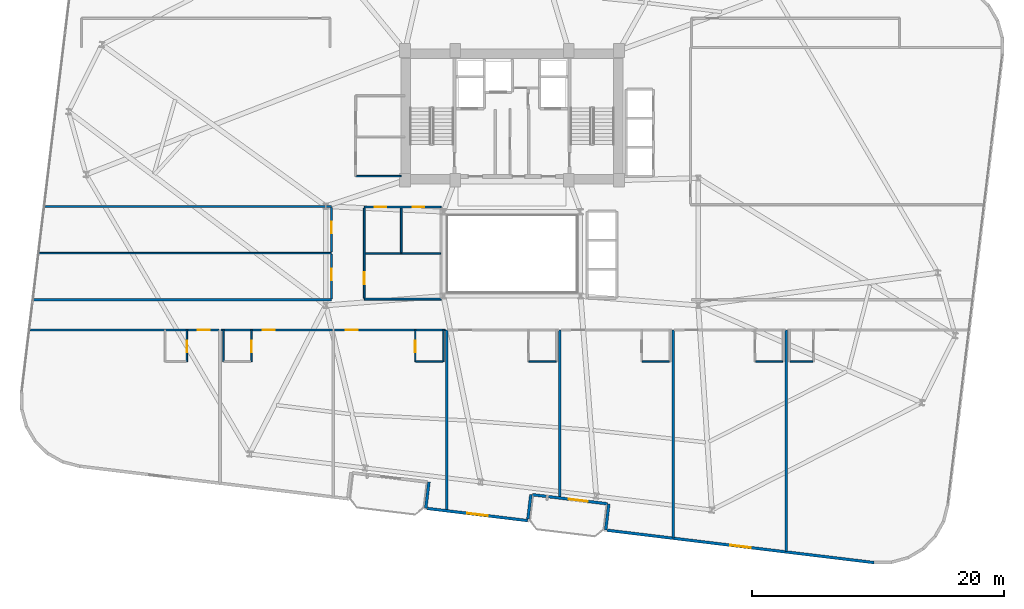
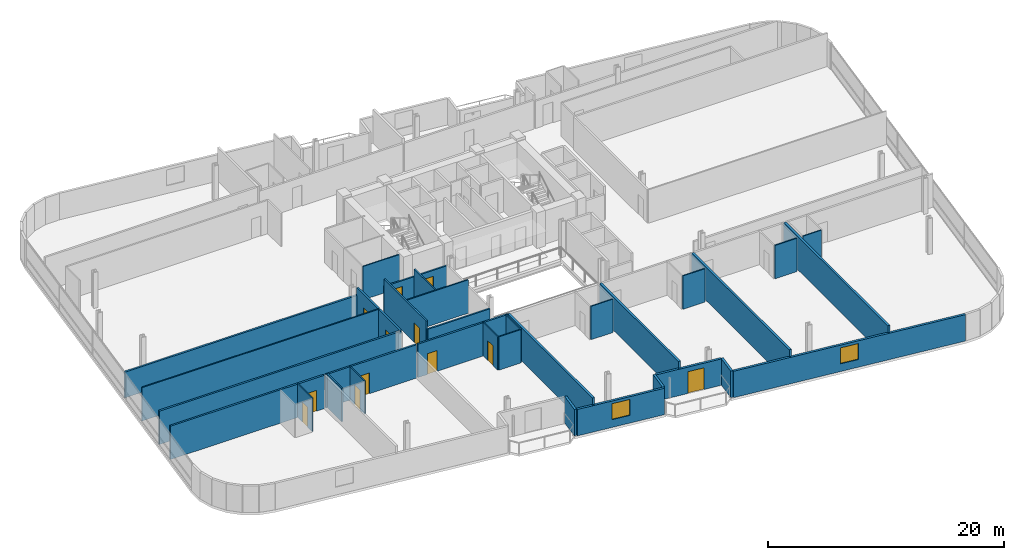
# One storey, part 20 of 26: 34 walls, 12 doors, 2 windows, 14 openings.
"""IFC4 building model written with IfcOpenShell, lengths in metres."""

from ifc_helpers import new_model, si_unit, direction, frame, frame_2d, origin, place, context, subcontext, project, spatial, rectangle, extrude, material, layer, layer_set, type_object, element, fill, save


model = new_model("IFC4")

# Units and contexts
model_context = context("Model", 3, precision=1e-05, world=origin(), true_north=direction((0.0, 1.0)))
body_context = subcontext(model_context, "Body", "Model", "MODEL_VIEW")
ifc_project = project(units=[si_unit("LENGTHUNIT", "METRE"), si_unit("AREAUNIT", "SQUARE_METRE"), si_unit("VOLUMEUNIT", "CUBIC_METRE"), si_unit("PLANEANGLEUNIT", "RADIAN"), si_unit("MASSUNIT", "GRAM", prefix="KILO")], contexts=[model_context])

# Site, building, storey
site_placement = place(None, origin())
site = spatial("IfcSite", under=ifc_project, at=site_placement, CompositionType="ELEMENT")
building_placement = place(site_placement, origin())
building = spatial("IfcBuilding", under=site, at=building_placement, Name="Varnelok Gate Tower", CompositionType="ELEMENT")
storey_placement = place(building_placement, frame((0.0, 0.0, 143.89990234375)))
storey = spatial("IfcBuildingStorey", under=building, at=storey_placement, Name="L36", CompositionType="ELEMENT", Elevation=143.89990234375)

# Wall, opening, door
ifc_material_1 = material(Name="Concrete C45/55", Category="concrete")
ifc_layer_1 = layer(ifc_material_1, 0.219970703125)
ifc_layer_set_1 = layer_set([ifc_layer_1], Name="Concrete C45/55")
wall_type_1 = type_object("IfcWallType", Name="EW-BALC-220", PredefinedType="SOLIDWALL", material=ifc_layer_set_1)
wall_1_placement = place(storey_placement, frame((46.77587890625, 3.03662109375, 0.0), z_axis=(0.0, 0.0, 1.0), x_axis=(-0.992735402148, 0.120318000826, 0.0)))
wall_1 = element("IfcWall", 1, at=wall_1_placement, inside=storey, type_object=wall_type_1, Name="L36 South Terrace Envelope Wall 2", PredefinedType="SOLIDWALL", context=body_context, shape_type="SweptSolid", body=[
    extrude(rectangle(XDim=6.000244140625, YDim=0.219970703125, at=frame_2d((3.0, 0.0))), origin(), (0.0, 0.0, 1.0), 2.72998046875),
])
opening_1_placement = place(wall_1_placement, frame((1.583984375, 0.0, 0.0)))
opening_1 = element("IfcOpeningElement", 2, at=opening_1_placement, cuts=wall_1, Name="Opening BD-1", PredefinedType="OPENING", context=body_context, shape_type="SweptSolid", body=[
    extrude(rectangle(XDim=1.5, YDim=2.25, at=frame_2d((0.75, 1.125))), frame((0.0, 0.119873046875, 0.0), z_axis=(0.0, -1.0, 0.0), x_axis=(1.0, 0.0, 0.0)), (0.0, 0.0, 1.0), 0.239990234375),
])
ifc_material_2 = material(Name="Anodized Aluminum Alloy 6063-T6", Category="aluminium")
door_type_1 = type_object("IfcDoorType", Name="DR-EXT-BALC1500", OperationType="NOTDEFINED", PredefinedType="DOOR", material=ifc_material_2)
door_1_placement = place(opening_1_placement, origin())
door_1 = element("IfcDoor", 3, at=door_1_placement, inside=storey, type_object=door_type_1, Name="L36 South Balcony Glazed Door 2", OperationType="SINGLE_SWING_LEFT", OverallHeight=2.25, OverallWidth=1.5, PredefinedType="DOOR", context=body_context, shape_type="SweptSolid", body=[
    extrude(rectangle(XDim=1.5, YDim=2.25, at=frame_2d((0.75, 1.125))), frame((0.0, 0.02490234375, 0.0), z_axis=(0.0, -1.0, 0.0), x_axis=(1.0, 0.0, 0.0)), (0.0, 0.0, 1.0), 0.050048828125),
])
fill(opening_1, door_1)

# Wall
wall_2_placement = place(storey_placement, frame((32.600830078125, 4.764892578125, 0.0), z_axis=(0.0, 0.0, 1.0), x_axis=(-0.120327895535, -0.992734202874, 0.0)))
element("IfcWall", 4, at=wall_2_placement, inside=storey, type_object=wall_type_1, Name="L36 Perimeter Facade Closure Wall 9", PredefinedType="SOLIDWALL", context=body_context, shape_type="SweptSolid", body=[
    extrude(rectangle(XDim=2.099853515625, YDim=0.219970703125, at=frame_2d((1.0498046875, 0.0))), origin(), (0.0, 0.0, 1.0), 2.72998046875),
])

# Wall, opening, window
wall_3_placement = place(storey_placement, frame((32.47216796875, 2.6650390625, 0.0), z_axis=(0.0, 0.0, 1.0), x_axis=(0.992734661931, -0.120324108143, 0.0)))
wall_3 = element("IfcWall", 5, at=wall_3_placement, inside=storey, type_object=wall_type_1, Name="L36 Perimeter Facade Closure Wall 10", PredefinedType="SOLIDWALL", context=body_context, shape_type="SweptSolid", body=[
    extrude(rectangle(XDim=8.034912109375, YDim=0.219970703125, at=frame_2d((4.017578125, 0.0))), origin(), (0.0, 0.0, 1.0), 2.72998046875),
])
opening_2_placement = place(wall_3_placement, frame((3.1923828125, 0.0, 0.800048828125)))
opening_2 = element("IfcOpeningElement", 6, at=opening_2_placement, cuts=wall_3, Name="Opening WN3", PredefinedType="OPENING", context=body_context, shape_type="SweptSolid", body=[
    extrude(rectangle(XDim=1.64990234375, YDim=1.64990234375, at=frame_2d((0.824951171875, 0.824951171875))), frame((0.0, 0.119873046875, 0.0), z_axis=(0.0, -1.0, 0.0), x_axis=(1.0, 0.0, 0.0)), (0.0, 0.0, 1.0), 0.239990234375),
])
ifc_material_3 = material(Name="Low-E Laminated Double Glazing IGU", Category="glass")
window_type = type_object("IfcWindowType", Name="WN-HTL-1650", PartitioningType="SINGLE_PANEL", PredefinedType="WINDOW", material=ifc_material_3)
window_1_placement = place(opening_2_placement, origin())
window_1 = element("IfcWindow", 7, at=window_1_placement, inside=storey, type_object=window_type, Name="L36 Perimeter Vision Window 10", OverallHeight=1.64990234375, OverallWidth=1.64990234375, PartitioningType="SINGLE_PANEL", PredefinedType="WINDOW", context=body_context, shape_type="SweptSolid", body=[
    extrude(rectangle(XDim=1.64990234375, YDim=1.64990234375, at=frame_2d((0.824951171875, 0.824951171875))), frame((0.0, 0.030029296875, 0.0), z_axis=(0.0, -1.0, 0.0), x_axis=(1.0, 0.0, 0.0)), (0.0, 0.0, 1.0), 0.06005859375),
])
fill(opening_2, window_1)

# Walls
wall_4_placement = place(storey_placement, frame((40.4638671875, 1.822265625, 0.0), z_axis=(0.0, 0.0, 1.0), x_axis=(0.120275992932, 0.992740492538, 0.0)))
element("IfcWall", 8, at=wall_4_placement, inside=storey, type_object=wall_type_1, Name="L36 Perimeter Facade Closure Wall 11", PredefinedType="SOLIDWALL", context=body_context, shape_type="SweptSolid", body=[
    extrude(rectangle(XDim=1.97509765625, YDim=0.219970703125, at=frame_2d((0.987548828125, 0.0))), origin(), (0.0, 0.0, 1.0), 2.72998046875),
])
wall_5_placement = place(storey_placement, frame((46.89599609375, 3.031982421875, 0.0), z_axis=(0.0, 0.0, 1.0), x_axis=(-0.120327895535, -0.992734202874, 0.0)))
element("IfcWall", 9, at=wall_5_placement, inside=storey, type_object=wall_type_1, Name="L36 Perimeter Facade Closure Wall 12", PredefinedType="SOLIDWALL", context=body_context, shape_type="SweptSolid", body=[
    extrude(rectangle(XDim=2.099853515625, YDim=0.219970703125, at=frame_2d((1.0498046875, 0.0))), origin(), (0.0, 0.0, 1.0), 2.72998046875),
])

# Wall, opening, window
wall_6_placement = place(storey_placement, frame((46.767578125, 0.93212890625, 0.0), z_axis=(0.0, 0.0, 1.0), x_axis=(0.992733036814, -0.120337515419, 0.0)))
wall_6 = element("IfcWall", 10, at=wall_6_placement, inside=storey, type_object=wall_type_1, Name="L36 Perimeter Facade Closure Wall 13", PredefinedType="SOLIDWALL", context=body_context, shape_type="SweptSolid", body=[
    extrude(rectangle(XDim=21.346923828125, YDim=0.219970703125, at=frame_2d((10.67333984375, 0.0))), origin(), (0.0, 0.0, 1.0), 2.72998046875),
])
opening_3_placement = place(wall_6_placement, frame((9.8486328125, 0.0, 0.800048828125)))
opening_3 = element("IfcOpeningElement", 11, at=opening_3_placement, cuts=wall_6, Name="Opening WN3", PredefinedType="OPENING", context=body_context, shape_type="SweptSolid", body=[
    extrude(rectangle(XDim=1.64990234375, YDim=1.64990234375, at=frame_2d((0.824951171875, 0.824951171875))), frame((0.0, 0.119873046875, 0.0), z_axis=(0.0, -1.0, 0.0), x_axis=(1.0, 0.0, 0.0)), (0.0, 0.0, 1.0), 0.239990234375),
])
window_2_placement = place(opening_3_placement, origin())
window_2 = element("IfcWindow", 12, at=window_2_placement, inside=storey, type_object=window_type, Name="L36 Perimeter Vision Window 13", OverallHeight=1.64990234375, OverallWidth=1.64990234375, PartitioningType="SINGLE_PANEL", PredefinedType="WINDOW", context=body_context, shape_type="SweptSolid", body=[
    extrude(rectangle(XDim=1.64990234375, YDim=1.64990234375, at=frame_2d((0.824951171875, 0.824951171875))), frame((0.0, 0.030029296875, 0.0), z_axis=(0.0, -1.0, 0.0), x_axis=(1.0, 0.0, 0.0)), (0.0, 0.0, 1.0), 0.06005859375),
])
fill(opening_3, window_2)

# Wall, opening, door
ifc_material_4 = material(Name="Gypsum Plasterboard Acoustic Partition", Category="gypsum")
ifc_layer_2 = layer(ifc_material_4, 0.179931640625)
ifc_layer_set_2 = layer_set([ifc_layer_2], Name="Gypsum Plasterboard Acoustic Partition")
wall_type_2 = type_object("IfcWallType", Name="PW-CORR-180", PredefinedType="PARTITIONING", material=ifc_layer_set_2)
wall_7_placement = place(storey_placement, frame((0.88427734375, 16.85009765625, 0.0), z_axis=(0.0, 0.0, 1.0), x_axis=(1.0, 0.0, 0.0)))
wall_7 = element("IfcWall", 13, at=wall_7_placement, inside=storey, type_object=wall_type_2, Name="Interior Partition", PredefinedType="PARTITIONING", context=body_context, shape_type="SweptSolid", body=[
    extrude(rectangle(XDim=15.03564453125, YDim=0.179931640625, at=frame_2d((7.517822265625, 0.0))), origin(), (0.0, 0.0, 1.0), 3.4501953125),
])
opening_4_placement = place(wall_7_placement, frame((13.329345703125, 0.0, 0.0)))
opening_4 = element("IfcOpeningElement", 14, at=opening_4_placement, cuts=wall_7, Name="Opening D-HT", PredefinedType="OPENING", context=body_context, shape_type="SweptSolid", body=[
    extrude(rectangle(XDim=0.949951171875, YDim=2.14990234375, at=frame_2d((0.47509765625, 1.074951171875))), frame((0.0, 0.099853515625, 0.0), z_axis=(0.0, -1.0, 0.0), x_axis=(1.0, 0.0, 0.0)), (0.0, 0.0, 1.0), 0.199951171875),
])
ifc_material_5 = material(Name="Engineered Hardwood Timber", Category="wood")
door_type_2 = type_object("IfcDoorType", Name="DR-HTL-950", OperationType="NOTDEFINED", PredefinedType="DOOR", material=ifc_material_5)
door_2_placement = place(opening_4_placement, origin())
door_2 = element("IfcDoor", 15, at=door_2_placement, inside=storey, type_object=door_type_2, Name="L36 Guest Room 01 Entrance Door", OperationType="SINGLE_SWING_RIGHT", OverallHeight=2.14990234375, OverallWidth=0.949951171875, PredefinedType="DOOR", context=body_context, shape_type="SweptSolid", body=[
    extrude(rectangle(XDim=0.949951171875, YDim=2.14990234375, at=frame_2d((0.47509765625, 1.074951171875))), frame((0.0, 0.02490234375, 0.0), z_axis=(0.0, -1.0, 0.0), x_axis=(1.0, 0.0, 0.0)), (0.0, 0.0, 1.0), 0.050048828125),
])
fill(opening_4, door_2)

wall_8_placement = place(storey_placement, frame((16.080078125, 16.85009765625, 0.0), z_axis=(0.0, 0.0, 1.0), x_axis=(1.0, 0.0, 0.0)))
wall_8 = element("IfcWall", 16, at=wall_8_placement, inside=storey, type_object=wall_type_2, Name="Interior Partition", PredefinedType="PARTITIONING", context=body_context, shape_type="SweptSolid", body=[
    extrude(rectangle(XDim=8.83984375, YDim=0.179931640625, at=frame_2d((4.419921875, 0.0))), origin(), (0.0, 0.0, 1.0), 3.4501953125),
])
opening_5_placement = place(wall_8_placement, frame((3.307861328125, 0.0, 0.0)))
opening_5 = element("IfcOpeningElement", 17, at=opening_5_placement, cuts=wall_8, Name="Opening D-HT", PredefinedType="OPENING", context=body_context, shape_type="SweptSolid", body=[
    extrude(rectangle(XDim=0.949951171875, YDim=2.14990234375, at=frame_2d((0.47509765625, 1.074951171875))), frame((0.0, 0.099853515625, 0.0), z_axis=(0.0, -1.0, 0.0), x_axis=(1.0, 0.0, 0.0)), (0.0, 0.0, 1.0), 0.199951171875),
])
door_3_placement = place(opening_5_placement, origin())
door_3 = element("IfcDoor", 18, at=door_3_placement, inside=storey, type_object=door_type_2, Name="L36 Guest Room 02 Entrance Door", OperationType="SINGLE_SWING_LEFT", OverallHeight=2.14990234375, OverallWidth=0.949951171875, PredefinedType="DOOR", context=body_context, shape_type="SweptSolid", body=[
    extrude(rectangle(XDim=0.949951171875, YDim=2.14990234375, at=frame_2d((0.47509765625, 1.074951171875))), frame((0.0, 0.02490234375, 0.0), z_axis=(0.0, -1.0, 0.0), x_axis=(1.0, 0.0, 0.0)), (0.0, 0.0, 1.0), 0.050048828125),
])
fill(opening_5, door_3)

wall_9_placement = place(storey_placement, frame((25.080078125, 16.85009765625, 0.0), z_axis=(0.0, 0.0, 1.0), x_axis=(1.0, 0.0, 0.0)))
wall_9 = element("IfcWall", 19, at=wall_9_placement, inside=storey, type_object=wall_type_2, Name="Interior Partition", PredefinedType="PARTITIONING", context=body_context, shape_type="SweptSolid", body=[
    extrude(rectangle(XDim=8.83984375, YDim=0.179931640625, at=frame_2d((4.419921875, 0.0))), origin(), (0.0, 0.0, 1.0), 3.4501953125),
])
opening_6_placement = place(wall_9_placement, frame((0.91796875, 0.0, 0.0)))
opening_6 = element("IfcOpeningElement", 20, at=opening_6_placement, cuts=wall_9, Name="Opening D-HT", PredefinedType="OPENING", context=body_context, shape_type="SweptSolid", body=[
    extrude(rectangle(XDim=0.949951171875, YDim=2.14990234375, at=frame_2d((0.47509765625, 1.074951171875))), frame((0.0, 0.099853515625, 0.0), z_axis=(0.0, -1.0, 0.0), x_axis=(1.0, 0.0, 0.0)), (0.0, 0.0, 1.0), 0.199951171875),
])
door_4_placement = place(opening_6_placement, origin())
door_4 = element("IfcDoor", 21, at=door_4_placement, inside=storey, type_object=door_type_2, Name="L36 Guest Room 03 Entrance Door", OperationType="SINGLE_SWING_RIGHT", OverallHeight=2.14990234375, OverallWidth=0.949951171875, PredefinedType="DOOR", context=body_context, shape_type="SweptSolid", body=[
    extrude(rectangle(XDim=0.949951171875, YDim=2.14990234375, at=frame_2d((0.47509765625, 1.074951171875))), frame((0.0, 0.02490234375, 0.0), z_axis=(0.0, -1.0, 0.0), x_axis=(1.0, 0.0, 0.0)), (0.0, 0.0, 1.0), 0.050048828125),
])
fill(opening_6, door_4)

wall_10_placement = place(storey_placement, frame((24.85009765625, 19.300048828125, 0.0), z_axis=(0.0, 0.0, 1.0), x_axis=(0.0, 1.0, 0.0)))
wall_10 = element("IfcWall", 22, at=wall_10_placement, inside=storey, type_object=wall_type_2, Name="Interior Partition", PredefinedType="PARTITIONING", context=body_context, shape_type="SweptSolid", body=[
    extrude(rectangle(XDim=3.570068359375, YDim=0.179931640625, at=frame_2d((1.78515625, 0.0))), origin(), (0.0, 0.0, 1.0), 3.4501953125),
])
opening_7_placement = place(wall_10_placement, frame((1.49951171875, 0.0, 0.0)))
opening_7 = element("IfcOpeningElement", 23, at=opening_7_placement, cuts=wall_10, Name="Opening D-I3", PredefinedType="OPENING", context=body_context, shape_type="SweptSolid", body=[
    extrude(rectangle(XDim=0.919921875, YDim=2.050048828125, at=frame_2d((0.4599609375, 1.02490234375))), frame((0.0, 0.099853515625, 0.0), z_axis=(0.0, -1.0, 0.0), x_axis=(1.0, 0.0, 0.0)), (0.0, 0.0, 1.0), 0.199951171875),
])
door_type_3 = type_object("IfcDoorType", Name="DR-INT-920", OperationType="NOTDEFINED", PredefinedType="DOOR", material=ifc_material_5)
door_5_placement = place(opening_7_placement, origin())
door_5 = element("IfcDoor", 24, at=door_5_placement, inside=storey, type_object=door_type_3, Name="L36 West Wing Room 1 Door", OperationType="SINGLE_SWING_LEFT", OverallHeight=2.050048828125, OverallWidth=0.919921875, PredefinedType="DOOR", context=body_context, shape_type="SweptSolid", body=[
    extrude(rectangle(XDim=0.919921875, YDim=2.050048828125, at=frame_2d((0.4599609375, 1.02490234375))), frame((0.0, 0.02490234375, 0.0), z_axis=(0.0, -1.0, 0.0), x_axis=(1.0, 0.0, 0.0)), (0.0, 0.0, 1.0), 0.050048828125),
])
fill(opening_7, door_5)

wall_11_placement = place(storey_placement, frame((24.85009765625, 23.030029296875, 0.0), z_axis=(0.0, 0.0, 1.0), x_axis=(0.0, 1.0, 0.0)))
wall_11 = element("IfcWall", 25, at=wall_11_placement, inside=storey, type_object=wall_type_2, Name="Interior Partition", PredefinedType="PARTITIONING", context=body_context, shape_type="SweptSolid", body=[
    extrude(rectangle(XDim=3.570068359375, YDim=0.179931640625, at=frame_2d((1.78515625, 0.0))), origin(), (0.0, 0.0, 1.0), 3.4501953125),
])
opening_8_placement = place(wall_11_placement, frame((1.49951171875, 0.0, 0.0)))
opening_8 = element("IfcOpeningElement", 26, at=opening_8_placement, cuts=wall_11, Name="Opening D-I3", PredefinedType="OPENING", context=body_context, shape_type="SweptSolid", body=[
    extrude(rectangle(XDim=0.919921875, YDim=2.050048828125, at=frame_2d((0.4599609375, 1.02490234375))), frame((0.0, 0.099853515625, 0.0), z_axis=(0.0, -1.0, 0.0), x_axis=(1.0, 0.0, 0.0)), (0.0, 0.0, 1.0), 0.199951171875),
])
door_6_placement = place(opening_8_placement, origin())
door_6 = element("IfcDoor", 27, at=door_6_placement, inside=storey, type_object=door_type_3, Name="L36 West Wing Room 2 Door", OperationType="SINGLE_SWING_RIGHT", OverallHeight=2.050048828125, OverallWidth=0.919921875, PredefinedType="DOOR", context=body_context, shape_type="SweptSolid", body=[
    extrude(rectangle(XDim=0.919921875, YDim=2.050048828125, at=frame_2d((0.4599609375, 1.02490234375))), frame((0.0, 0.02490234375, 0.0), z_axis=(0.0, -1.0, 0.0), x_axis=(1.0, 0.0, 0.0)), (0.0, 0.0, 1.0), 0.050048828125),
])
fill(opening_8, door_6)

# Walls
wall_12_placement = place(storey_placement, frame((1.174072265625, 19.239990234375, 0.0), z_axis=(0.0, 0.0, 1.0), x_axis=(1.0, 0.0, 0.0)))
element("IfcWall", 28, at=wall_12_placement, inside=storey, type_object=wall_type_2, Name="Interior Partition", PredefinedType="PARTITIONING", context=body_context, shape_type="SweptSolid", body=[
    extrude(rectangle(XDim=23.676025390625, YDim=0.179931640625, at=frame_2d((11.837890625, 0.0))), origin(), (0.0, 0.0, 1.0), 3.4501953125),
])
wall_13_placement = place(storey_placement, frame((2.073486328125, 26.659912109375, 0.0), z_axis=(0.0, 0.0, 1.0), x_axis=(1.0, 0.0, 0.0)))
element("IfcWall", 29, at=wall_13_placement, inside=storey, type_object=wall_type_2, Name="Interior Partition", PredefinedType="PARTITIONING", context=body_context, shape_type="SweptSolid", body=[
    extrude(rectangle(XDim=22.776611328125, YDim=0.179931640625, at=frame_2d((11.38818359375, 0.0))), origin(), (0.0, 0.0, 1.0), 2.662109375),
])

# Wall, opening, door
ifc_layer_3 = layer(ifc_material_4, 0.114990234375)
ifc_layer_set_3 = layer_set([ifc_layer_3], Name="Gypsum Plasterboard Acoustic Partition")
wall_type_3 = type_object("IfcWallType", Name="PW-ENS-125", PredefinedType="PARTITIONING", material=ifc_layer_set_3)
wall_14_placement = place(storey_placement, frame((13.3701171875, 14.330078125, 0.0), z_axis=(0.0, 0.0, 1.0), x_axis=(0.0, 1.0, 0.0)))
wall_14 = element("IfcWall", 30, at=wall_14_placement, inside=storey, type_object=wall_type_3, Name="Interior Partition", PredefinedType="PARTITIONING", context=body_context, shape_type="SweptSolid", body=[
    extrude(rectangle(XDim=2.52001953125, YDim=0.114990234375, at=frame_2d((1.260009765625, 0.0))), origin(), (0.0, 0.0, 1.0), 3.4501953125),
])
opening_9_placement = place(wall_14_placement, frame((0.760009765625, 0.0, 0.0)))
opening_9 = element("IfcOpeningElement", 31, at=opening_9_placement, cuts=wall_14, Name="Opening D-WC", PredefinedType="OPENING", context=body_context, shape_type="SweptSolid", body=[
    extrude(rectangle(XDim=0.89990234375, YDim=2.050048828125, at=frame_2d((0.449951171875, 1.02490234375))), frame((0.0, 0.0673828125, 0.0), z_axis=(0.0, -1.0, 0.0), x_axis=(1.0, 0.0, 0.0)), (0.0, 0.0, 1.0), 0.135009765625),
])
door_type_4 = type_object("IfcDoorType", Name="DR-BATH-900", OperationType="NOTDEFINED", PredefinedType="DOOR", material=ifc_material_5)
door_7_placement = place(opening_9_placement, origin())
door_7 = element("IfcDoor", 32, at=door_7_placement, inside=storey, type_object=door_type_4, Name="L36 Guest En-Suite 01 Door", OperationType="SINGLE_SWING_LEFT", OverallHeight=2.050048828125, OverallWidth=0.89990234375, PredefinedType="DOOR", context=body_context, shape_type="SweptSolid", body=[
    extrude(rectangle(XDim=0.89990234375, YDim=2.050048828125, at=frame_2d((0.449951171875, 1.02490234375))), frame((0.0, 0.02490234375, 0.0), z_axis=(0.0, -1.0, 0.0), x_axis=(1.0, 0.0, 0.0)), (0.0, 0.0, 1.0), 0.050048828125),
])
fill(opening_9, door_7)

wall_15_placement = place(storey_placement, frame((18.489990234375, 14.330078125, 0.0), z_axis=(0.0, 0.0, 1.0), x_axis=(0.0, 1.0, 0.0)))
wall_15 = element("IfcWall", 33, at=wall_15_placement, inside=storey, type_object=wall_type_3, Name="Interior Partition", PredefinedType="PARTITIONING", context=body_context, shape_type="SweptSolid", body=[
    extrude(rectangle(XDim=2.52001953125, YDim=0.114990234375, at=frame_2d((1.260009765625, 0.0))), origin(), (0.0, 0.0, 1.0), 3.4501953125),
])
opening_10_placement = place(wall_15_placement, frame((0.760009765625, 0.0, 0.0)))
opening_10 = element("IfcOpeningElement", 34, at=opening_10_placement, cuts=wall_15, Name="Opening D-WC", PredefinedType="OPENING", context=body_context, shape_type="SweptSolid", body=[
    extrude(rectangle(XDim=0.89990234375, YDim=2.050048828125, at=frame_2d((0.449951171875, 1.02490234375))), frame((0.0, 0.0673828125, 0.0), z_axis=(0.0, -1.0, 0.0), x_axis=(1.0, 0.0, 0.0)), (0.0, 0.0, 1.0), 0.135009765625),
])
door_8_placement = place(opening_10_placement, origin())
door_8 = element("IfcDoor", 35, at=door_8_placement, inside=storey, type_object=door_type_4, Name="L36 Guest En-Suite 02 Door", OperationType="SINGLE_SWING_LEFT", OverallHeight=2.050048828125, OverallWidth=0.89990234375, PredefinedType="DOOR", context=body_context, shape_type="SweptSolid", body=[
    extrude(rectangle(XDim=0.89990234375, YDim=2.050048828125, at=frame_2d((0.449951171875, 1.02490234375))), frame((0.0, 0.02490234375, 0.0), z_axis=(0.0, -1.0, 0.0), x_axis=(1.0, 0.0, 0.0)), (0.0, 0.0, 1.0), 0.050048828125),
])
fill(opening_10, door_8)

# Walls
wall_16_placement = place(storey_placement, frame((16.260009765625, 14.330078125, 0.0), z_axis=(0.0, 0.0, 1.0), x_axis=(0.0, 1.0, 0.0)))
element("IfcWall", 36, at=wall_16_placement, inside=storey, type_object=wall_type_3, Name="Interior Partition", PredefinedType="PARTITIONING", context=body_context, shape_type="SweptSolid", body=[
    extrude(rectangle(XDim=2.52001953125, YDim=0.114990234375, at=frame_2d((1.260009765625, 0.0))), origin(), (0.0, 0.0, 1.0), 3.4501953125),
])
wall_17_placement = place(storey_placement, frame((31.550048828125, 14.330078125, 0.0), z_axis=(0.0, 0.0, 1.0), x_axis=(1.0, 0.0, 0.0)))
element("IfcWall", 37, at=wall_17_placement, inside=storey, type_object=wall_type_3, Name="Interior Partition", PredefinedType="PARTITIONING", context=body_context, shape_type="SweptSolid", body=[
    extrude(rectangle(XDim=2.14990234375, YDim=0.114990234375, at=frame_2d((1.074951171875, 0.0))), origin(), (0.0, 0.0, 1.0), 3.4501953125),
])

# Wall, opening, door
wall_18_placement = place(storey_placement, frame((31.510009765625, 14.330078125, 0.0), z_axis=(0.0, 0.0, 1.0), x_axis=(0.0, 1.0, 0.0)))
wall_18 = element("IfcWall", 38, at=wall_18_placement, inside=storey, type_object=wall_type_3, Name="Interior Partition", PredefinedType="PARTITIONING", context=body_context, shape_type="SweptSolid", body=[
    extrude(rectangle(XDim=2.52001953125, YDim=0.114990234375, at=frame_2d((1.260009765625, 0.0))), origin(), (0.0, 0.0, 1.0), 3.4501953125),
])
opening_11_placement = place(wall_18_placement, frame((0.760009765625, 0.0, 0.0)))
opening_11 = element("IfcOpeningElement", 39, at=opening_11_placement, cuts=wall_18, Name="Opening D-WC", PredefinedType="OPENING", context=body_context, shape_type="SweptSolid", body=[
    extrude(rectangle(XDim=0.89990234375, YDim=2.050048828125, at=frame_2d((0.449951171875, 1.02490234375))), frame((0.0, 0.0673828125, 0.0), z_axis=(0.0, -1.0, 0.0), x_axis=(1.0, 0.0, 0.0)), (0.0, 0.0, 1.0), 0.135009765625),
])
door_9_placement = place(opening_11_placement, origin())
door_9 = element("IfcDoor", 40, at=door_9_placement, inside=storey, type_object=door_type_4, Name="L36 Guest En-Suite 03 Door", OperationType="SINGLE_SWING_RIGHT", OverallHeight=2.050048828125, OverallWidth=0.89990234375, PredefinedType="DOOR", context=body_context, shape_type="SweptSolid", body=[
    extrude(rectangle(XDim=0.89990234375, YDim=2.050048828125, at=frame_2d((0.449951171875, 1.02490234375))), frame((0.0, 0.02490234375, 0.0), z_axis=(0.0, -1.0, 0.0), x_axis=(1.0, 0.0, 0.0)), (0.0, 0.0, 1.0), 0.050048828125),
])
fill(opening_11, door_9)

# Walls
wall_19_placement = place(storey_placement, frame((33.739990234375, 14.330078125, 0.0), z_axis=(0.0, 0.0, 1.0), x_axis=(0.0, 1.0, 0.0)))
element("IfcWall", 41, at=wall_19_placement, inside=storey, type_object=wall_type_3, Name="Interior Partition", PredefinedType="PARTITIONING", context=body_context, shape_type="SweptSolid", body=[
    extrude(rectangle(XDim=2.52001953125, YDim=0.114990234375, at=frame_2d((1.260009765625, 0.0))), origin(), (0.0, 0.0, 1.0), 3.4501953125),
])
for number, where, z_axis, x_axis, name in (
    (42, (40.550048828125, 14.330078125, 0.0), (0.0, 0.0, 1.0), (1.0, 0.0, 0.0), "Interior Partition"),
    (43, (49.550048828125, 14.330078125, 0.0), (0.0, 0.0, 1.0), (1.0, 0.0, 0.0), "Interior Partition"),
    (44, (58.550048828125, 14.330078125, 0.0), (0.0, 0.0, 1.0), (1.0, 0.0, 0.0), "Interior Partition"),
):
    element("IfcWall", number, at=place(storey_placement, frame(where, z_axis=z_axis, x_axis=x_axis)), inside=storey, type_object=wall_type_3, Name=name, PredefinedType="PARTITIONING", context=body_context, shape_type="SweptSolid", body=[
        extrude(rectangle(XDim=2.14990234375, YDim=0.114990234375, at=frame_2d((1.074951171875, 0.0))), origin(), (0.0, 0.0, 1.0), 3.4501953125),
    ])
wall_20_placement = place(storey_placement, frame((61.300048828125, 14.330078125, 0.0), z_axis=(0.0, 0.0, 1.0), x_axis=(1.0, 0.0, 0.0)))
element("IfcWall", 45, at=wall_20_placement, inside=storey, type_object=wall_type_3, Name="Interior Partition", PredefinedType="PARTITIONING", context=body_context, shape_type="SweptSolid", body=[
    extrude(rectangle(XDim=1.80712890625, YDim=0.114990234375, at=frame_2d((0.903564453125, 0.0))), origin(), (0.0, 0.0, 1.0), 3.4501953125),
])
wall_21_placement = place(storey_placement, frame((26.780029296875, 29.080078125, 0.0), z_axis=(0.0, 0.0, 1.0), x_axis=(1.0, 0.0, 0.0)))
element("IfcWall", 46, at=wall_21_placement, inside=storey, type_object=wall_type_3, Name="Interior Partition", PredefinedType="PARTITIONING", context=body_context, shape_type="SweptSolid", body=[
    extrude(rectangle(XDim=3.599853515625, YDim=0.114990234375, at=frame_2d((1.7998046875, 0.0))), origin(), (0.0, 0.0, 1.0), 3.4501953125),
])
ifc_layer_4 = layer(ifc_material_4, 0.125)
ifc_layer_set_4 = layer_set([ifc_layer_4], Name="Gypsum Plasterboard Acoustic Partition")
wall_type_4 = type_object("IfcWallType", Name="PW-PART-125", PredefinedType="PARTITIONING", material=ifc_layer_set_4)
wall_22_placement = place(storey_placement, frame((1.623779296875, 22.949951171875, 0.0), z_axis=(0.0, 0.0, 1.0), x_axis=(1.0, 0.0, 0.0)))
element("IfcWall", 47, at=wall_22_placement, inside=storey, type_object=wall_type_4, Name="Interior Partition", PredefinedType="PARTITIONING", context=body_context, shape_type="SweptSolid", body=[
    extrude(rectangle(XDim=23.226318359375, YDim=0.125, at=frame_2d((11.61328125, 0.0))), origin(), (0.0, 0.0, 1.0), 3.4501953125),
])
wall_23_placement = place(storey_placement, frame((27.52001953125, 22.929931640625, 0.0), z_axis=(0.0, 0.0, 1.0), x_axis=(1.0, 0.0, 0.0)))
element("IfcWall", 48, at=wall_23_placement, inside=storey, type_object=wall_type_4, Name="Interior Partition", PredefinedType="PARTITIONING", context=body_context, shape_type="SweptSolid", body=[
    extrude(rectangle(XDim=6.0, YDim=0.125, at=frame_2d((3.0, 0.0))), origin(), (0.0, 0.0, 1.0), 3.4501953125),
])
wall_24_placement = place(storey_placement, frame((30.39990234375, 23.0, 0.0), z_axis=(0.0, 0.0, 1.0), x_axis=(0.0, 1.0, 0.0)))
element("IfcWall", 49, at=wall_24_placement, inside=storey, type_object=wall_type_4, Name="Interior Partition", PredefinedType="PARTITIONING", context=body_context, shape_type="SweptSolid", body=[
    extrude(rectangle(XDim=3.5400390625, YDim=0.125, at=frame_2d((1.77001953125, 0.0))), origin(), (0.0, 0.0, 1.0), 3.4501953125),
])
ifc_layer_5 = layer(ifc_material_4, 0.14990234375)
ifc_layer_set_5 = layer_set([ifc_layer_5], Name="Gypsum Plasterboard Acoustic Partition")
wall_type_5 = type_object("IfcWallType", Name="PW-PART-150", PredefinedType="PARTITIONING", material=ifc_layer_set_5)
wall_25_placement = place(storey_placement, frame((27.4599609375, 19.300048828125, 0.0), z_axis=(0.0, 0.0, 1.0), x_axis=(1.0, 0.0, 0.0)))
element("IfcWall", 50, at=wall_25_placement, inside=storey, type_object=wall_type_5, Name="Interior Partition", PredefinedType="PARTITIONING", context=body_context, shape_type="SweptSolid", body=[
    extrude(rectangle(XDim=6.10009765625, YDim=0.14990234375, at=frame_2d((3.050048828125, 0.0))), origin(), (0.0, 0.0, 1.0), 2.662109375),
])

# Wall, openings, doors
wall_26_placement = place(storey_placement, frame((27.4599609375, 26.6201171875, 0.0), z_axis=(0.0, 0.0, 1.0), x_axis=(1.0, 0.0, 0.0)))
wall_26 = element("IfcWall", 51, at=wall_26_placement, inside=storey, type_object=wall_type_5, Name="Interior Partition", PredefinedType="PARTITIONING", context=body_context, shape_type="SweptSolid", body=[
    extrude(rectangle(XDim=6.10009765625, YDim=0.14990234375, at=frame_2d((3.050048828125, 0.0))), origin(), (0.0, 0.0, 1.0), 2.662109375),
])
opening_12_placement = place(wall_26_placement, frame((0.85009765625, 0.0, 0.0)))
opening_12 = element("IfcOpeningElement", 52, at=opening_12_placement, cuts=wall_26, Name="Opening D-WC", PredefinedType="OPENING", context=body_context, shape_type="SweptSolid", body=[
    extrude(rectangle(XDim=0.89990234375, YDim=2.050048828125, at=frame_2d((0.449951171875, 1.02490234375))), frame((0.0, 0.0849609375, 0.0), z_axis=(0.0, -1.0, 0.0), x_axis=(1.0, 0.0, 0.0)), (0.0, 0.0, 1.0), 0.169921875),
])
opening_13_placement = place(wall_26_placement, frame((3.85009765625, 0.0, 0.0)))
opening_13 = element("IfcOpeningElement", 53, at=opening_13_placement, cuts=wall_26, Name="Opening D-I3", PredefinedType="OPENING", context=body_context, shape_type="SweptSolid", body=[
    extrude(rectangle(XDim=0.919921875, YDim=2.050048828125, at=frame_2d((0.4599609375, 1.02490234375))), frame((0.0, 0.0849609375, 0.0), z_axis=(0.0, -1.0, 0.0), x_axis=(1.0, 0.0, 0.0)), (0.0, 0.0, 1.0), 0.169921875),
])
door_10_placement = place(opening_12_placement, origin())
door_10 = element("IfcDoor", 54, at=door_10_placement, inside=storey, type_object=door_type_4, Name="L36 Accessible Floor WC Door", OperationType="SINGLE_SWING_RIGHT", OverallHeight=2.050048828125, OverallWidth=0.89990234375, PredefinedType="DOOR", context=body_context, shape_type="SweptSolid", body=[
    extrude(rectangle(XDim=0.89990234375, YDim=2.050048828125, at=frame_2d((0.449951171875, 1.02490234375))), frame((0.0, 0.02490234375, 0.0), z_axis=(0.0, -1.0, 0.0), x_axis=(1.0, 0.0, 0.0)), (0.0, 0.0, 1.0), 0.050048828125),
])
fill(opening_12, door_10)
door_11_placement = place(opening_13_placement, origin())
door_11 = element("IfcDoor", 55, at=door_11_placement, inside=storey, type_object=door_type_3, Name="L36 Cleaner Supply Door", OperationType="SINGLE_SWING_LEFT", OverallHeight=2.050048828125, OverallWidth=0.919921875, PredefinedType="DOOR", context=body_context, shape_type="SweptSolid", body=[
    extrude(rectangle(XDim=0.919921875, YDim=2.050048828125, at=frame_2d((0.4599609375, 1.02490234375))), frame((0.0, 0.02490234375, 0.0), z_axis=(0.0, -1.0, 0.0), x_axis=(1.0, 0.0, 0.0)), (0.0, 0.0, 1.0), 0.050048828125),
])
fill(opening_13, door_11)

# Wall, opening, door
wall_27_placement = place(storey_placement, frame((27.4599609375, 19.3798828125, 0.0), z_axis=(0.0, 0.0, 1.0), x_axis=(0.0, 1.0, 0.0)))
wall_27 = element("IfcWall", 56, at=wall_27_placement, inside=storey, type_object=wall_type_5, Name="Interior Partition", PredefinedType="PARTITIONING", context=body_context, shape_type="SweptSolid", body=[
    extrude(rectangle(XDim=7.16015625, YDim=0.14990234375, at=frame_2d((3.580078125, 0.0))), origin(), (0.0, 0.0, 1.0), 3.4501953125),
])
opening_14_placement = place(wall_27_placement, frame((1.10009765625, 0.0, 0.0)))
opening_14 = element("IfcOpeningElement", 57, at=opening_14_placement, cuts=wall_27, Name="Opening D-I2", PredefinedType="OPENING", context=body_context, shape_type="SweptSolid", body=[
    extrude(rectangle(XDim=0.949951171875, YDim=2.050048828125, at=frame_2d((0.47509765625, 1.02490234375))), frame((0.0, 0.0849609375, 0.0), z_axis=(0.0, -1.0, 0.0), x_axis=(1.0, 0.0, 0.0)), (0.0, 0.0, 1.0), 0.169921875),
])
door_type_5 = type_object("IfcDoorType", Name="DR-INT-950", OperationType="NOTDEFINED", PredefinedType="DOOR", material=ifc_material_5)
door_12_placement = place(opening_14_placement, origin())
door_12 = element("IfcDoor", 58, at=door_12_placement, inside=storey, type_object=door_type_5, Name="L36 Sky Library Door", OperationType="SINGLE_SWING_LEFT", OverallHeight=2.050048828125, OverallWidth=0.949951171875, PredefinedType="DOOR", context=body_context, shape_type="SweptSolid", body=[
    extrude(rectangle(XDim=0.949951171875, YDim=2.050048828125, at=frame_2d((0.47509765625, 1.02490234375))), frame((0.0, 0.02490234375, 0.0), z_axis=(0.0, -1.0, 0.0), x_axis=(1.0, 0.0, 0.0)), (0.0, 0.0, 1.0), 0.050048828125),
])
fill(opening_14, door_12)

# Walls
ifc_layer_6 = layer(ifc_material_4, 0.205078125)
ifc_layer_set_6 = layer_set([ifc_layer_6], Name="Gypsum Plasterboard Acoustic Partition")
wall_type_6 = type_object("IfcWallType", Name="PW-PARTY-200", PredefinedType="PARTITIONING", material=ifc_layer_set_6)
wall_28_placement = place(storey_placement, frame((34.0, 2.5, 0.0), z_axis=(0.0, 0.0, 1.0), x_axis=(0.0, 1.0, 0.0)))
element("IfcWall", 59, at=wall_28_placement, inside=storey, type_object=wall_type_6, Name="L36 South Party Wall 3", PredefinedType="PARTITIONING", context=body_context, shape_type="SweptSolid", body=[
    extrude(rectangle(XDim=14.35009765625, YDim=0.205078125, at=frame_2d((7.175048828125, 0.0))), origin(), (0.0, 0.0, 1.0), 3.4501953125),
])
wall_29_placement = place(storey_placement, frame((43.0, 3.5244140625, 0.0), z_axis=(0.0, 0.0, 1.0), x_axis=(0.0, 1.0, 0.0)))
element("IfcWall", 60, at=wall_29_placement, inside=storey, type_object=wall_type_6, Name="L36 South Party Wall 4", PredefinedType="PARTITIONING", context=body_context, shape_type="SweptSolid", body=[
    extrude(rectangle(XDim=13.32568359375, YDim=0.205078125, at=frame_2d((6.662841796875, 0.0))), origin(), (0.0, 0.0, 1.0), 3.4501953125),
])
wall_30_placement = place(storey_placement, frame((52.0, 0.318115234375, 0.0), z_axis=(0.0, 0.0, 1.0), x_axis=(0.0, 1.0, 0.0)))
element("IfcWall", 61, at=wall_30_placement, inside=storey, type_object=wall_type_6, Name="L36 South Party Wall 5", PredefinedType="PARTITIONING", context=body_context, shape_type="SweptSolid", body=[
    extrude(rectangle(XDim=16.531982421875, YDim=0.205078125, at=frame_2d((8.26611328125, 0.0))), origin(), (0.0, 0.0, 1.0), 3.4501953125),
])
wall_31_placement = place(storey_placement, frame((61.0, -0.77294921875, 0.0), z_axis=(0.0, 0.0, 1.0), x_axis=(0.0, 1.0, 0.0)))
element("IfcWall", 62, at=wall_31_placement, inside=storey, type_object=wall_type_6, Name="L36 South Party Wall 6", PredefinedType="PARTITIONING", context=body_context, shape_type="SweptSolid", body=[
    extrude(rectangle(XDim=17.623046875, YDim=0.205078125, at=frame_2d((8.8115234375, 0.0))), origin(), (0.0, 0.0, 1.0), 3.4501953125),
])

save(model, "model.ifc")
